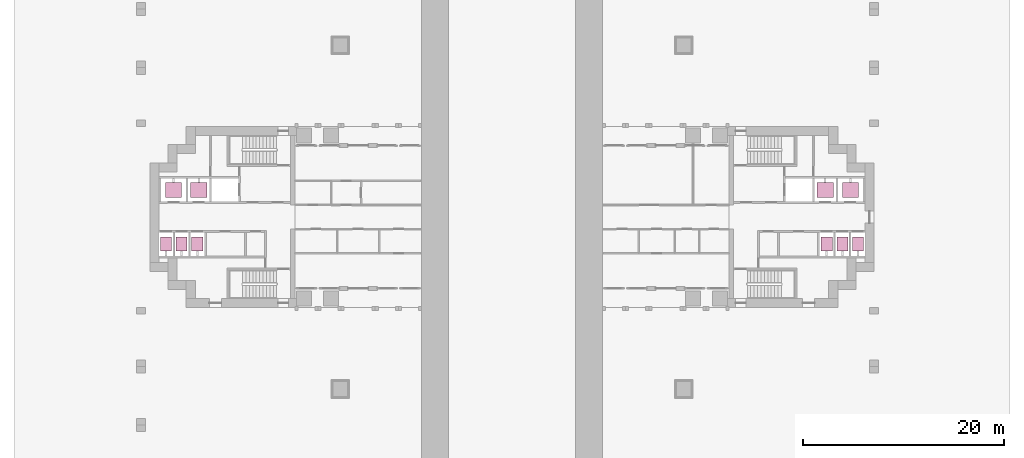
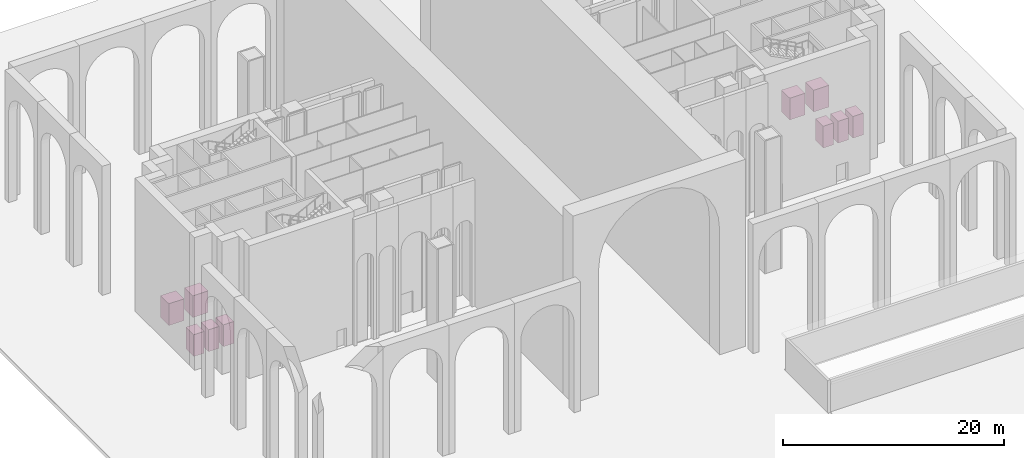
# One storey, part 18 of 18: 10 transport elements.
"""IFC4 building model written with IfcOpenShell, lengths in metres."""

from ifc_helpers import new_model, si_unit, direction, frame, origin, origin_2d, place, context, subcontext, project, spatial, rectangle, extrude, material, type_object, element, save


model = new_model("IFC4")

# Units and contexts
model_context = context("Model", 3, precision=1e-05, world=origin(), true_north=direction((0.0, 1.0)))
body_context = subcontext(model_context, "Body", "Model", "MODEL_VIEW")
ifc_project = project(units=[si_unit("LENGTHUNIT", "METRE"), si_unit("AREAUNIT", "SQUARE_METRE"), si_unit("VOLUMEUNIT", "CUBIC_METRE"), si_unit("PLANEANGLEUNIT", "RADIAN"), si_unit("MASSUNIT", "GRAM", prefix="KILO")], contexts=[model_context])

# Site, building, storey
site_placement = place(None, origin())
site = spatial("IfcSite", under=ifc_project, at=site_placement, CompositionType="ELEMENT")
building_placement = place(site_placement, origin())
building = spatial("IfcBuilding", under=site, at=building_placement, Name="Perihelion Cross Residences", CompositionType="ELEMENT")
storey_placement = place(building_placement, origin())
storey = spatial("IfcBuildingStorey", under=building, at=storey_placement, Name="L00", CompositionType="ELEMENT", Elevation=0.0)

# Transport elements
ifc_material_1 = material(Name="Low-rise lift car 1100x1400")
transport_element_type_1 = type_object("IfcTransportElementType", Name="Low-rise lift car 1100x1400", PredefinedType="ELEVATOR", material=ifc_material_1)
for number, where, z_axis, x_axis, name in (
    (1, (31.300048828125, -2.699951171875, 0.0), (0.0, 0.0, 1.0), (1.0, 0.0, 0.0), "East core low-rise lift 1"),
    (2, (32.85009765625, -2.699951171875, 0.0), (0.0, 0.0, 1.0), (1.0, 0.0, 0.0), "East core low-rise lift 2"),
    (3, (34.39990234375, -2.699951171875, 0.0), (0.0, 0.0, 1.0), (1.0, 0.0, 0.0), "East core low-rise lift 3"),
    (4, (-31.300048828125, -2.699951171875, 0.0), (0.0, 0.0, 1.0), (1.0, 0.0, 0.0), "West core low-rise lift 1"),
    (5, (-32.85009765625, -2.699951171875, 0.0), (0.0, 0.0, 1.0), (1.0, 0.0, 0.0), "West core low-rise lift 2"),
    (6, (-34.39990234375, -2.699951171875, 0.0), (0.0, 0.0, 1.0), (1.0, 0.0, 0.0), "West core low-rise lift 3"),
):
    element("IfcTransportElement", number, at=place(storey_placement, frame(where, z_axis=z_axis, x_axis=x_axis)), inside=storey, type_object=transport_element_type_1, Name=name, PredefinedType="ELEVATOR", context=body_context, shape_type="SweptSolid", body=[
        extrude(rectangle(XDim=1.10009765625, YDim=1.39990234375, at=origin_2d()), origin(), (0.0, 0.0, 1.0), 2.39990234375),
    ])
ifc_material_2 = material(Name="Shuttle lift car 1600x1500")
transport_element_type_2 = type_object("IfcTransportElementType", Name="Shuttle lift car 1600x1500", PredefinedType="ELEVATOR", material=ifc_material_2)
for number, where, z_axis, x_axis, name in (
    (7, (31.14990234375, 2.699951171875, 0.0), (0.0, 0.0, 1.0), (1.0, 0.0, 0.0), "East core shuttle lift 1"),
    (8, (33.64990234375, 2.699951171875, 0.0), (0.0, 0.0, 1.0), (1.0, 0.0, 0.0), "East core shuttle lift 2"),
    (9, (-31.14990234375, 2.699951171875, 0.0), (0.0, 0.0, 1.0), (1.0, 0.0, 0.0), "West core shuttle lift 1"),
    (10, (-33.64990234375, 2.699951171875, 0.0), (0.0, 0.0, 1.0), (1.0, 0.0, 0.0), "West core shuttle lift 2"),
):
    element("IfcTransportElement", number, at=place(storey_placement, frame(where, z_axis=z_axis, x_axis=x_axis)), inside=storey, type_object=transport_element_type_2, Name=name, PredefinedType="ELEVATOR", context=body_context, shape_type="SweptSolid", body=[
        extrude(rectangle(XDim=1.60009765625, YDim=1.5, at=origin_2d()), origin(), (0.0, 0.0, 1.0), 2.39990234375),
    ])

save(model, "model.ifc")
